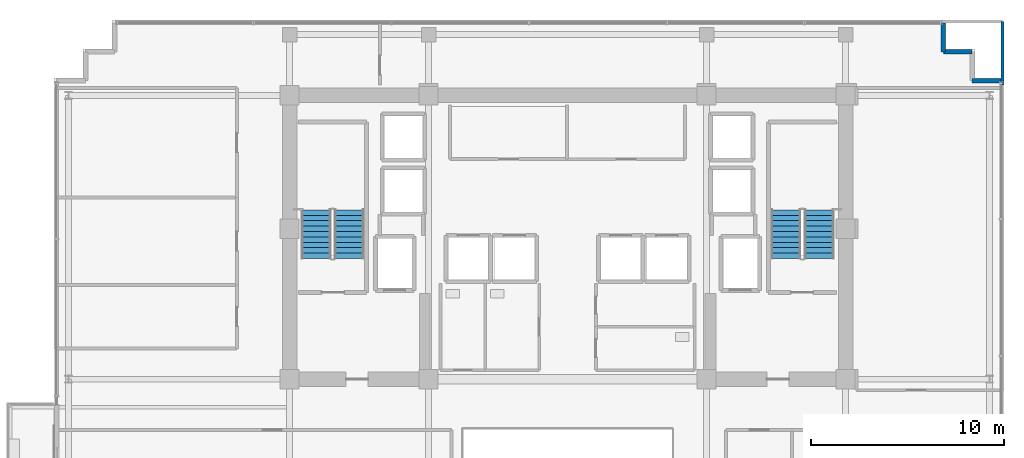
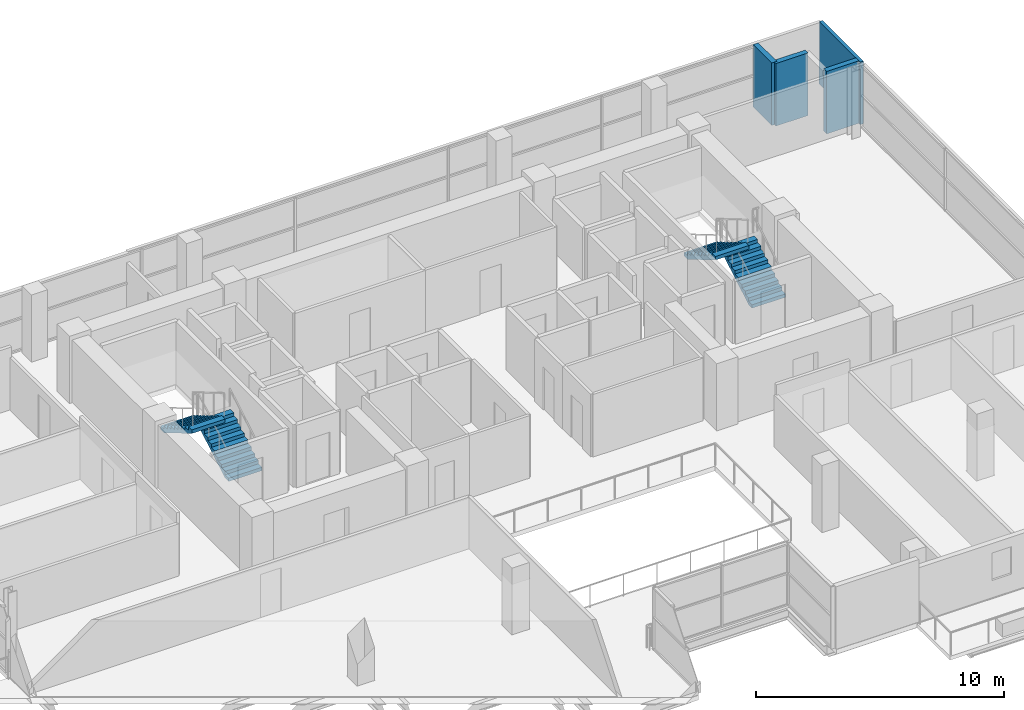
# One storey, part 17 of 21: 4 stair flights, 4 walls, 2 elements without a shape of their own.
"""IFC4 building model written with IfcOpenShell, lengths in metres."""

from ifc_helpers import new_model, si_unit, direction, frame, frame_2d, origin, place, context, subcontext, project, spatial, polyline, rectangle, outline, extrude, material, layer, layer_set, type_object, element, aggregate, save


model = new_model("IFC4")

# Units and contexts
model_context = context("Model", 3, precision=1e-05, world=origin(), true_north=direction((0.0, 1.0)))
body_context = subcontext(model_context, "Body", "Model", "MODEL_VIEW")
ifc_project = project(units=[si_unit("LENGTHUNIT", "METRE"), si_unit("AREAUNIT", "SQUARE_METRE"), si_unit("VOLUMEUNIT", "CUBIC_METRE"), si_unit("PLANEANGLEUNIT", "RADIAN"), si_unit("MASSUNIT", "GRAM", prefix="KILO")], contexts=[model_context])

# Site, building, storey
site_placement = place(None, origin())
site = spatial("IfcSite", under=ifc_project, at=site_placement, CompositionType="ELEMENT")
building_placement = place(site_placement, origin())
building = spatial("IfcBuilding", under=site, at=building_placement, Name="Zarnakvel Exchange Tower", CompositionType="ELEMENT")
storey_placement = place(building_placement, frame((0.0, 0.0, 152.800048828125)))
storey = spatial("IfcBuildingStorey", under=building, at=storey_placement, Name="L42", CompositionType="ELEMENT", Elevation=152.800048828125)

# Walls
ifc_material_1 = material(Name="Precast concrete C40/50", Category="concrete")
ifc_layer_1 = layer(ifc_material_1, 0.239990234375)
ifc_layer_set_1 = layer_set([ifc_layer_1], Name="Precast concrete C40/50")
wall_type_1 = type_object("IfcWallType", Name="EW-02", PredefinedType="SOLIDWALL", material=ifc_layer_set_1)
for number, where, z_axis, x_axis, name in (
    (1, (19.4599609375, 15.760009765625, 0.0), (0.0, 0.0, 1.0), (0.0, 1.0, 0.0), "L42 Exterior Precast Spandrel Wall EWC-L42-07 (EW-02)"),
    (2, (20.9599609375, 15.760009765625, 0.0), (0.0, 0.0, 1.0), (-1.0, 0.0, 0.0), "L42 Exterior Precast Spandrel Wall EWC-L42-08 (EW-02)"),
    (3, (22.4599609375, 14.260009765625, 0.0), (0.0, 0.0, 1.0), (-1.0, 0.0, 0.0), "L42 Exterior Precast Spandrel Wall EWC-L42-10 (EW-02)"),
):
    element("IfcWall", number, at=place(storey_placement, frame(where, z_axis=z_axis, x_axis=x_axis)), inside=storey, type_object=wall_type_1, Name=name, PredefinedType="SOLIDWALL", context=body_context, shape_type="SweptSolid", body=[
        extrude(rectangle(XDim=1.5, YDim=0.239990234375, at=frame_2d((0.75, 0.0))), origin(), (0.0, 0.0, 1.0), 3.074951171875),
    ])
ifc_material_2 = material(Name="Fire-Rated Gypsum Stud Partition", Category="gypsum")
ifc_layer_2 = layer(ifc_material_2, 0.14990234375)
ifc_layer_set_2 = layer_set([ifc_layer_2], Name="Fire-Rated Gypsum Stud Partition")
wall_type_2 = type_object("IfcWallType", Name="PT-01", PredefinedType="PARTITIONING", material=ifc_layer_set_2)
wall_placement = place(storey_placement, frame((22.530029296875, 17.330078125, 0.0), z_axis=(0.0, 0.0, 1.0), x_axis=(0.0, -1.0, 0.0)))
element("IfcWall", 4, at=wall_placement, inside=storey, type_object=wall_type_2, Name="L42 Partition Wall PWALL-L42-062 (PT-01)", PredefinedType="PARTITIONING", context=body_context, shape_type="SweptSolid", body=[
    extrude(rectangle(XDim=3.300048828125, YDim=0.14990234375, at=frame_2d((1.64990234375, 0.0))), origin(), (0.0, 0.0, 1.0), 3.074951171875),
])

# Stair, stair flights
ifc_material_3 = material(Name="Concrete C40/50", Category="concrete")
stair_type = type_object("IfcStairType", Name="STR-01", PredefinedType="HALF_TURN_STAIR", material=ifc_material_3)
stair_1_placement = place(storey_placement, origin())
stair_1 = element("IfcStair", 5, at=stair_1_placement, inside=storey, type_object=stair_type, Name="L42 Protected Core Exit Stair ST-01", PredefinedType="HALF_TURN_STAIR")
stair_flight_type = type_object("IfcStairFlightType", Name="FLT-01", PredefinedType="STRAIGHT", material=ifc_material_3)
stair_flight_1_placement = place(storey_placement, frame((-11.31494140625, 5.050048828125, 0.0), z_axis=(0.0, 0.0, 1.0), x_axis=(0.0, 1.0, 0.0)))
stair_flight_1 = element("IfcStairFlight", 6, at=stair_flight_1_placement, type_object=stair_flight_type, Name="ST-01 flight 1", NumberOfRisers=10, NumberOfTreads=9, PredefinedType="STRAIGHT", RiserHeight=0.165, TreadLength=0.28, context=body_context, shape_type="SweptSolid", body=[
    extrude(outline(polyline([(0.0, 0.0), (0.0, 0.1650390625), (0.280029296875, 0.1650390625), (0.280029296875, 0.330078125), (0.56005859375, 0.330078125), (0.56005859375, 0.4951171875), (0.840087890625, 0.4951171875), (0.840087890625, 0.659912109375), (1.1201171875, 0.659912109375), (1.1201171875, 0.824951171875), (1.39990234375, 0.824951171875), (1.39990234375, 0.989990234375), (1.679931640625, 0.989990234375), (1.679931640625, 1.155029296875), (1.9599609375, 1.155029296875), (1.9599609375, 1.320068359375), (2.239990234375, 1.320068359375), (2.239990234375, 1.485107421875), (2.52001953125, 1.485107421875), (2.52001953125, 1.64990234375), (2.52001953125, 1.31103515625), (0.295166015625, 0.0), (0.0, 0.0)])), frame((0.0, 0.77490234375, 0.0), z_axis=(0.0, -1.0, 0.0), x_axis=(1.0, 0.0, 0.0)), (0.0, 0.0, 1.0), 1.550048828125),
])
stair_flight_2_placement = place(storey_placement, frame((-13.02490234375, 7.570068359375, 1.64990234375), z_axis=(0.0, 0.0, 1.0), x_axis=(0.0, -1.0, 0.0)))
stair_flight_2 = element("IfcStairFlight", 7, at=stair_flight_2_placement, type_object=stair_flight_type, Name="ST-01 flight 2", NumberOfRisers=10, NumberOfTreads=9, PredefinedType="STRAIGHT", RiserHeight=0.165, TreadLength=0.28, context=body_context, shape_type="SweptSolid", body=[
    extrude(outline(polyline([(0.0, 0.0), (0.0, 0.1650390625), (0.280029296875, 0.1650390625), (0.280029296875, 0.330078125), (0.56005859375, 0.330078125), (0.56005859375, 0.4951171875), (0.840087890625, 0.4951171875), (0.840087890625, 0.659912109375), (1.1201171875, 0.659912109375), (1.1201171875, 0.824951171875), (1.39990234375, 0.824951171875), (1.39990234375, 0.989990234375), (1.679931640625, 0.989990234375), (1.679931640625, 1.155029296875), (1.9599609375, 1.155029296875), (1.9599609375, 1.320068359375), (2.239990234375, 1.320068359375), (2.239990234375, 1.485107421875), (2.52001953125, 1.485107421875), (2.52001953125, 1.64990234375), (2.52001953125, 1.31103515625), (0.295166015625, 0.0), (0.0, 0.0)])), frame((0.0, 0.77490234375, 0.0), z_axis=(0.0, -1.0, 0.0), x_axis=(1.0, 0.0, 0.0)), (0.0, 0.0, 1.0), 1.550048828125),
])
aggregate(stair_1, [stair_flight_1, stair_flight_2])

stair_2_placement = place(storey_placement, origin())
stair_2 = element("IfcStair", 8, at=stair_2_placement, inside=storey, type_object=stair_type, Name="L42 Protected Core Exit Stair ST-02", PredefinedType="HALF_TURN_STAIR")
stair_flight_3_placement = place(storey_placement, frame((13.02490234375, 5.050048828125, 0.0), z_axis=(0.0, 0.0, 1.0), x_axis=(0.0, 1.0, 0.0)))
stair_flight_3 = element("IfcStairFlight", 9, at=stair_flight_3_placement, type_object=stair_flight_type, Name="ST-02 flight 1", NumberOfRisers=10, NumberOfTreads=9, PredefinedType="STRAIGHT", RiserHeight=0.165, TreadLength=0.28, context=body_context, shape_type="SweptSolid", body=[
    extrude(outline(polyline([(0.0, 0.0), (0.0, 0.1650390625), (0.280029296875, 0.1650390625), (0.280029296875, 0.330078125), (0.56005859375, 0.330078125), (0.56005859375, 0.4951171875), (0.840087890625, 0.4951171875), (0.840087890625, 0.659912109375), (1.1201171875, 0.659912109375), (1.1201171875, 0.824951171875), (1.39990234375, 0.824951171875), (1.39990234375, 0.989990234375), (1.679931640625, 0.989990234375), (1.679931640625, 1.155029296875), (1.9599609375, 1.155029296875), (1.9599609375, 1.320068359375), (2.239990234375, 1.320068359375), (2.239990234375, 1.485107421875), (2.52001953125, 1.485107421875), (2.52001953125, 1.64990234375), (2.52001953125, 1.31103515625), (0.295166015625, 0.0), (0.0, 0.0)])), frame((0.0, 0.77490234375, 0.0), z_axis=(0.0, -1.0, 0.0), x_axis=(1.0, 0.0, 0.0)), (0.0, 0.0, 1.0), 1.550048828125),
])
stair_flight_4_placement = place(storey_placement, frame((11.31494140625, 7.570068359375, 1.64990234375), z_axis=(0.0, 0.0, 1.0), x_axis=(0.0, -1.0, 0.0)))
stair_flight_4 = element("IfcStairFlight", 10, at=stair_flight_4_placement, type_object=stair_flight_type, Name="ST-02 flight 2", NumberOfRisers=10, NumberOfTreads=9, PredefinedType="STRAIGHT", RiserHeight=0.165, TreadLength=0.28, context=body_context, shape_type="SweptSolid", body=[
    extrude(outline(polyline([(0.0, 0.0), (0.0, 0.1650390625), (0.280029296875, 0.1650390625), (0.280029296875, 0.330078125), (0.56005859375, 0.330078125), (0.56005859375, 0.4951171875), (0.840087890625, 0.4951171875), (0.840087890625, 0.659912109375), (1.1201171875, 0.659912109375), (1.1201171875, 0.824951171875), (1.39990234375, 0.824951171875), (1.39990234375, 0.989990234375), (1.679931640625, 0.989990234375), (1.679931640625, 1.155029296875), (1.9599609375, 1.155029296875), (1.9599609375, 1.320068359375), (2.239990234375, 1.320068359375), (2.239990234375, 1.485107421875), (2.52001953125, 1.485107421875), (2.52001953125, 1.64990234375), (2.52001953125, 1.31103515625), (0.295166015625, 0.0), (0.0, 0.0)])), frame((0.0, 0.77490234375, 0.0), z_axis=(0.0, -1.0, 0.0), x_axis=(1.0, 0.0, 0.0)), (0.0, 0.0, 1.0), 1.550048828125),
])
aggregate(stair_2, [stair_flight_3, stair_flight_4])

save(model, "model.ifc")
